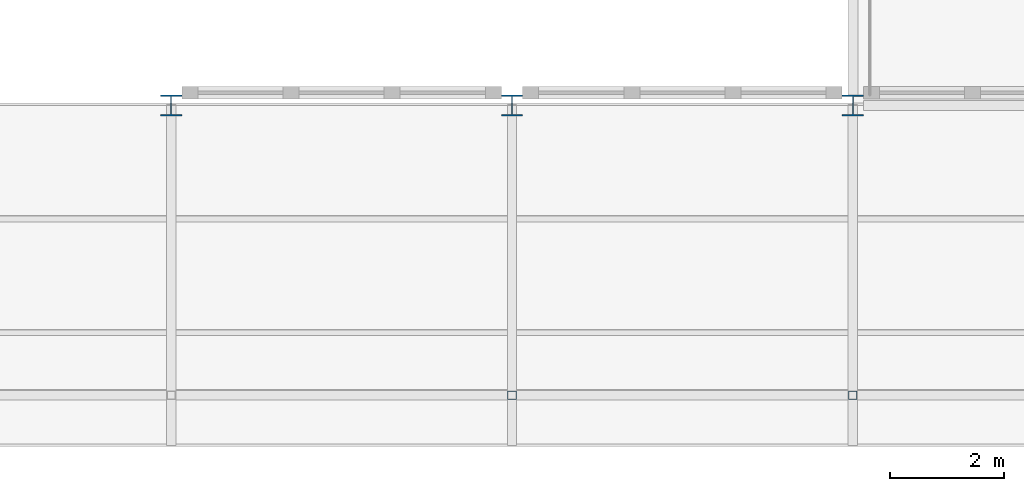
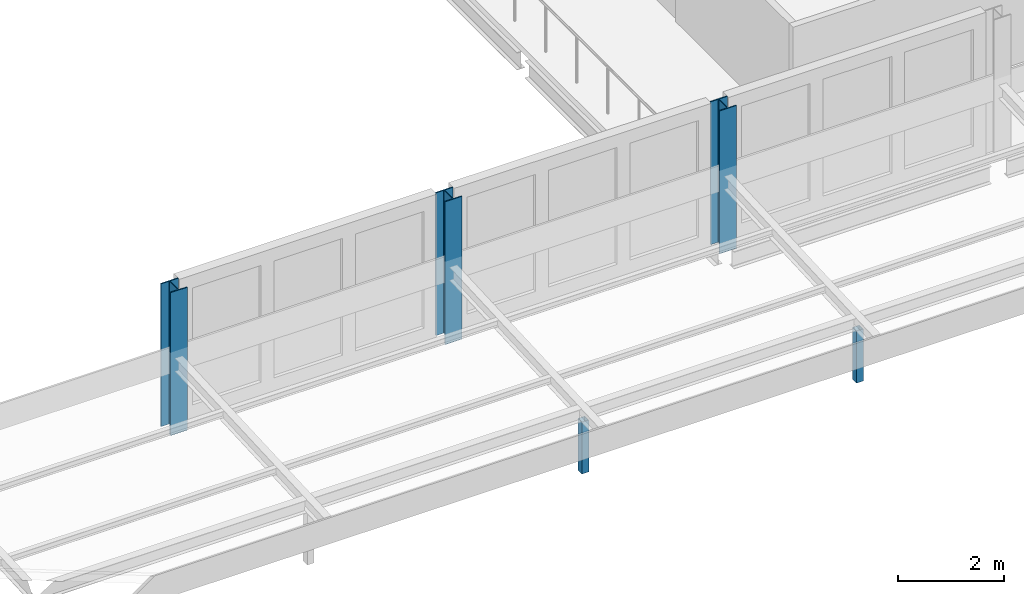
# One storey, part 3 of 214: 5 columns.
"""IFC4 building model written with IfcOpenShell, lengths in metres."""

import ifcopenshell
import ifcopenshell.guid

model = None  # the IFC model being written
_history = None  # IfcOwnerHistory: only IFC2X3 demands one
_inside = {}  # id of a spatial element -> (the spatial element, [elements in it])
_under = {}  # id of a project, library or spatial element -> (it, [spatial elements below it])
_declared = {}  # id of a project -> (the project, [libraries it declares])
_typed = {}  # id of a type object -> (the type object, [elements of that type])
_made_of = {}  # id of a material, layer set ... -> (it, [elements and type objects made of it])


def new_model(schema):
    """Start an empty IFC model of exactly this schema.

    Asked for "IFC4X3", IfcOpenShell would pick the latest addendum, in which some entities
    have other attributes; the version numbers below select the first issue.
    IFC2X3 requires an IfcOwnerHistory on every rooted entity: one is made here for all.
    """
    global model, _history
    if schema == "IFC4X3":
        model = ifcopenshell.file(schema_version=(4, 3, 0, 0))
    else:
        model = ifcopenshell.file(schema=schema)
    _inside.clear()
    _under.clear()
    _declared.clear()
    _typed.clear()
    _made_of.clear()
    _history = None
    if model.schema == "IFC2X3":
        org = make("IfcOrganization", Name="unknown")
        user = make(
            "IfcPersonAndOrganization",
            ThePerson=make("IfcPerson", FamilyName="unknown"),
            TheOrganization=org,
        )
        app = make(
            "IfcApplication",
            ApplicationDeveloper=org,
            Version="unknown",
            ApplicationFullName="unknown",
            ApplicationIdentifier="unknown",
        )
        _history = make(
            "IfcOwnerHistory",
            OwningUser=user,
            OwningApplication=app,
            ChangeAction="ADDED",
            CreationDate=0,
        )
    return model


def make(cls, **values):
    """One entity of the class cls with the attributes given. An attribute that is None is left unset."""
    return model.create_entity(
        cls, **{name: value for name, value in values.items() if value is not None}
    )


def rooted(cls, **values):
    """An entity with a GlobalId (a new one), such as an element, a storey or a relation."""
    return make(cls, GlobalId=ifcopenshell.guid.new(), OwnerHistory=_history, **values)


def si_unit(unit_type, name, prefix=None):
    """IfcSIUnit, for example si_unit("LENGTHUNIT", "METRE", prefix="MILLI")."""
    return make("IfcSIUnit", UnitType=unit_type, Prefix=prefix, Name=name)


def assignment(units):
    """IfcUnitAssignment: the units of a project."""
    return None if units is None else make("IfcUnitAssignment", Units=units)


def point(xyz):
    """IfcCartesianPoint."""
    return None if xyz is None else make("IfcCartesianPoint", Coordinates=xyz)


def direction(xyz):
    """IfcDirection."""
    return None if xyz is None else make("IfcDirection", DirectionRatios=xyz)


def frame(location, z_axis=None, x_axis=None):
    """IfcAxis2Placement3D, a coordinate frame: its origin and axes. An axis left out is left unset."""
    return make(
        "IfcAxis2Placement3D",
        Location=point(location),
        Axis=direction(z_axis),
        RefDirection=direction(x_axis),
    )


def frame_2d(location, x_axis=None):
    """IfcAxis2Placement2D, a coordinate frame in the plane: its origin and x axis."""
    return make(
        "IfcAxis2Placement2D", Location=point(location), RefDirection=direction(x_axis)
    )


def origin():
    """The frame at (0, 0, 0) with its axes left unset."""
    return frame((0.0, 0.0, 0.0))


def origin_2d():
    """The frame at (0, 0) in the plane with its x axis left unset."""
    return frame_2d((0.0, 0.0))


def place(relative_to, where):
    """IfcLocalPlacement: puts the frame where relative to a parent placement (None: the world)."""
    return make(
        "IfcLocalPlacement", PlacementRelTo=relative_to, RelativePlacement=where
    )


def context(
    kind, dimensions, precision=None, world=None, true_north=None, identifier=None
):
    """IfcGeometricRepresentationContext, for example the 3D "Model" context."""
    return make(
        "IfcGeometricRepresentationContext",
        ContextIdentifier=identifier,
        ContextType=kind,
        CoordinateSpaceDimension=dimensions,
        Precision=precision,
        WorldCoordinateSystem=world,
        TrueNorth=true_north,
    )


def subcontext(parent, identifier, kind, view, scale=None):
    """IfcGeometricRepresentationSubContext, for example "Body" below "Model"."""
    return make(
        "IfcGeometricRepresentationSubContext",
        ContextIdentifier=identifier,
        ContextType=kind,
        ParentContext=parent,
        TargetScale=scale,
        TargetView=view,
    )


def project(units=None, contexts=None):
    """IfcProject with its units and contexts."""
    return rooted(
        "IfcProject",
        Name="project",
        RepresentationContexts=contexts,
        UnitsInContext=assignment(units),
    )


def spatial(cls, under=None, at=None, **own):
    """A site, building, storey or space (cls), placed at a placement, below another one or the project."""
    s = rooted(cls, ObjectPlacement=at, **own)
    if under is not None:
        _under.setdefault(under.id(), (under, []))[1].append(s)
    return s


def profile(cls, at=None, kind="AREA", **sizes):
    """A parametric profile (cls). Its sizes go by their IFC names, for example OverallWidth=200.0."""
    return make(cls, ProfileType=kind, Position=at, **sizes)


def hollow_rectangle(**sizes):
    """IfcRectangleHollowProfileDef."""
    return profile("IfcRectangleHollowProfileDef", **sizes)


def i_section(**sizes):
    """IfcIShapeProfileDef."""
    return profile("IfcIShapeProfileDef", **sizes)


def extrude(swept, where, along, depth):
    """IfcExtrudedAreaSolid: the profile swept, set in the frame where, extruded along a direction by depth."""
    return make(
        "IfcExtrudedAreaSolid",
        SweptArea=swept,
        Position=where,
        ExtrudedDirection=direction(along),
        Depth=depth,
    )


def shape(context_of_items, identifier, shape_type, items):
    """IfcShapeRepresentation: the items that make up one representation, for example the "Body"."""
    return make(
        "IfcShapeRepresentation",
        ContextOfItems=context_of_items,
        RepresentationIdentifier=identifier,
        RepresentationType=shape_type,
        Items=items,
    )


def material(Name=None, Category=None):
    """IfcMaterial."""
    return make("IfcMaterial", Name=Name, Category=Category)


def material_profile(
    of_material, cross_section, Name=None, Category=None, Priority=None
):
    """IfcMaterialProfile: a cross section and its material."""
    return make(
        "IfcMaterialProfile",
        Name=Name,
        Material=of_material,
        Profile=cross_section,
        Priority=Priority,
        Category=Category,
    )


def profile_set(profiles, Name=None, composite=None):
    """IfcMaterialProfileSet."""
    return make(
        "IfcMaterialProfileSet",
        Name=Name,
        MaterialProfiles=profiles,
        CompositeProfile=composite,
    )


def made_of(thing, what):
    """Note that an element or type object is made of a material, layer set ...; save() writes the relation."""
    if what is not None:
        _made_of.setdefault(what.id(), (what, []))[1].append(thing)
    return thing


def type_object(cls, material=None, **own):
    """A type object (cls), such as IfcWallType, which elements share."""
    return made_of(rooted(cls, **own), material)


def element(
    cls,
    number,
    at=None,
    inside=None,
    cuts=None,
    type_object=None,
    material=None,
    context=None,
    identifier="Body",
    shape_type=None,
    held_by="IfcProductDefinitionShape",
    body=None,
    shapes=None,
    **own,
):
    """One element of the class cls, such as IfcWall. Its Tag is "e" and its number.

    at: its placement. inside: the storey or other place that contains it. cuts: it is an
    opening in that element (IfcRelVoidsElement). A single representation is given by context,
    identifier, shape_type and body (its items); several are given by shapes. held_by: the class
    of the entity that holds the representations. save() writes the other relations.
    """
    e = rooted(cls, Tag="e%d" % number, ObjectPlacement=at, **own)
    if body is not None:
        shapes = [shape(context, identifier, shape_type, body)]
    if shapes is not None:
        e.Representation = make(held_by, Representations=shapes)
    if inside is not None:
        _inside.setdefault(inside.id(), (inside, []))[1].append(e)
    if cuts is not None:
        rooted(
            "IfcRelVoidsElement", RelatingBuildingElement=cuts, RelatedOpeningElement=e
        )
    if type_object is not None:
        _typed.setdefault(type_object.id(), (type_object, []))[1].append(e)
    return made_of(e, material)


def aggregate(whole, parts):
    """IfcRelAggregates: a whole, such as a stair, and the parts it consists of."""
    return rooted("IfcRelAggregates", RelatingObject=whole, RelatedObjects=parts)


def save(model, path):
    """Write the relations noted so far, then the file.

    IfcRelAggregates (storeys below a building ...), IfcRelContainedInSpatialStructure (elements
    in a storey), IfcRelDefinesByType, IfcRelAssociatesMaterial and IfcRelDeclares: one each for
    every whole, place, type object, material and project.
    """
    for whole, parts in _under.values():
        aggregate(whole, parts)
    for where, things in _inside.values():
        rooted(
            "IfcRelContainedInSpatialStructure",
            RelatedElements=things,
            RelatingStructure=where,
        )
    for kind, things in _typed.values():
        rooted("IfcRelDefinesByType", RelatedObjects=things, RelatingType=kind)
    for what, things in _made_of.values():
        rooted("IfcRelAssociatesMaterial", RelatedObjects=things, RelatingMaterial=what)
    for by, libraries in _declared.values():
        rooted("IfcRelDeclares", RelatingContext=by, RelatedDefinitions=libraries)
    model.write(path)


model = new_model("IFC4")

# Units and contexts
model_context = context("Model", 3, precision=1e-05, world=origin(), true_north=direction((0.0, 1.0)))
body_context = subcontext(model_context, "Body", "Model", "MODEL_VIEW")
ifc_project = project(units=[si_unit("LENGTHUNIT", "METRE"), si_unit("AREAUNIT", "SQUARE_METRE"), si_unit("VOLUMEUNIT", "CUBIC_METRE"), si_unit("PLANEANGLEUNIT", "RADIAN"), si_unit("MASSUNIT", "GRAM", prefix="KILO")], contexts=[model_context])

# Site, building, storey
site_placement = place(None, origin())
site = spatial("IfcSite", under=ifc_project, at=site_placement, CompositionType="ELEMENT")
building_placement = place(site_placement, origin())
building = spatial("IfcBuilding", under=site, at=building_placement, Name="Parallax Yard Mobility Hub", CompositionType="ELEMENT")
storey_placement = place(building_placement, frame((0.0, 0.0, 3.300048828125)))
storey = spatial("IfcBuildingStorey", under=building, at=storey_placement, Name="L01", CompositionType="ELEMENT", Elevation=3.300048828125)

# Columns
ifc_material_1 = material(Name="Steel ASTM A500 Gr C", Category="steel")
ifc_material_profile_1 = material_profile(ifc_material_1, hollow_rectangle(XDim=0.15234375, YDim=0.15234375, WallThickness=0.009521484375, at=origin_2d()), Name="HSS152x152x9.5")
ifc_profile_set_1 = profile_set([ifc_material_profile_1], Name="Steel ASTM A500 Gr C")
column_type_1 = type_object("IfcColumnType", Name="Roof column HSS152x152x9.5", PredefinedType="COLUMN", material=ifc_profile_set_1)
for number, where, z_axis, x_axis, name in (
    (1, (63.0, 2.39990234375, 0.0), (0.0, 0.0, 1.0), (1.0, 0.0, 0.0), "Arcade column V1 10 level L01"),
    (2, (69.0, 2.39990234375, 0.0), (0.0, 0.0, 1.0), (1.0, 0.0, 0.0), "Arcade column V1 11 level L01"),
):
    element("IfcColumn", number, at=place(storey_placement, frame(where, z_axis=z_axis, x_axis=x_axis)), inside=storey, type_object=column_type_1, Name=name, PredefinedType="COLUMN", context=body_context, shape_type="SweptSolid", body=[
        extrude(hollow_rectangle(XDim=0.15234375, YDim=0.15234375, WallThickness=0.009521484375, at=origin_2d()), origin(), (0.0, 0.0, 1.0), 1.199951171875),
    ])
ifc_material_2 = material(Name="Steel ASTM A992", Category="steel")
ifc_material_profile_2 = material_profile(ifc_material_2, i_section(OverallWidth=0.373046875, OverallDepth=0.367919921875, WebThickness=0.014892578125, FlangeThickness=0.02392578125, FilletRadius=0.01513671875, at=origin_2d()), Name="W360x179")
ifc_profile_set_2 = profile_set([ifc_material_profile_2], Name="Steel ASTM A992")
column_type_2 = type_object("IfcColumnType", Name="W360x179 column", PredefinedType="COLUMN", material=ifc_profile_set_2)
for number, where, z_axis, x_axis, name in (
    (3, (57.0, 7.5, 0.0), (0.0, 0.0, 1.0), (1.0, 0.0, 0.0), "Column C7 level L01 at F9/B of bus and taxi deck"),
    (4, (63.0, 7.5, 0.0), (0.0, 0.0, 1.0), (1.0, 0.0, 0.0), "Column C7 level L01 at F10/B of bus and taxi deck"),
    (5, (69.0, 7.5, 0.0), (0.0, 0.0, 1.0), (1.0, 0.0, 0.0), "Column C7 level L01 at F11/B of bus and taxi deck"),
):
    element("IfcColumn", number, at=place(storey_placement, frame(where, z_axis=z_axis, x_axis=x_axis)), inside=storey, type_object=column_type_2, Name=name, PredefinedType="COLUMN", context=body_context, shape_type="SweptSolid", body=[
        extrude(i_section(OverallWidth=0.373046875, OverallDepth=0.367919921875, WebThickness=0.014892578125, FlangeThickness=0.02392578125, FilletRadius=0.01513671875, at=origin_2d()), origin(), (0.0, 0.0, 1.0), 3.300048828125),
    ])

save(model, "model.ifc")
